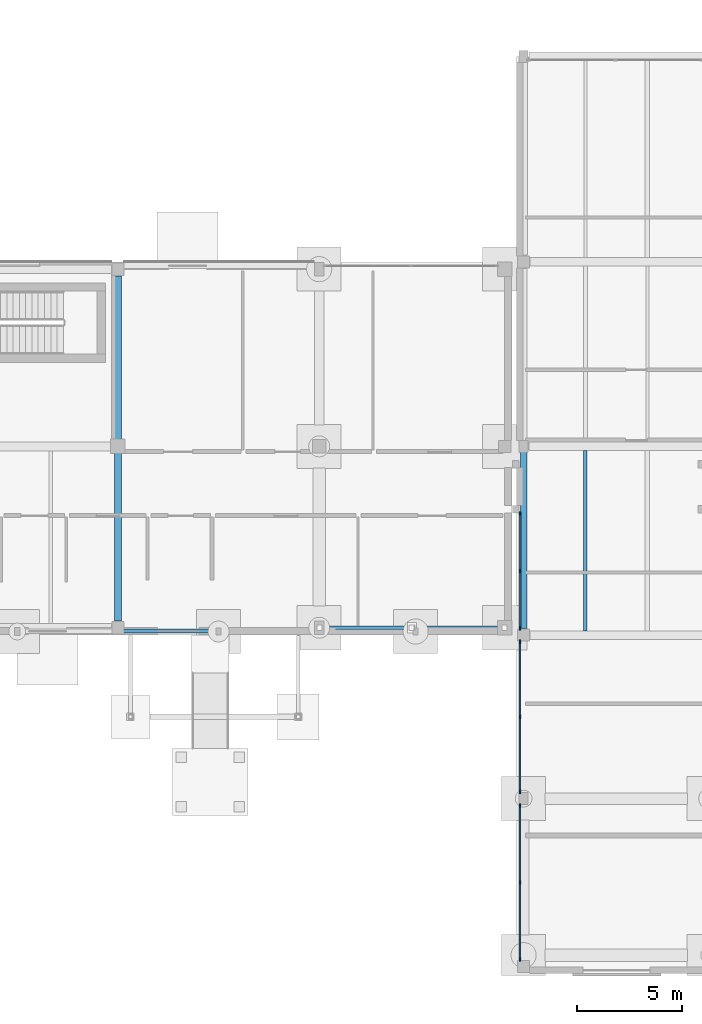
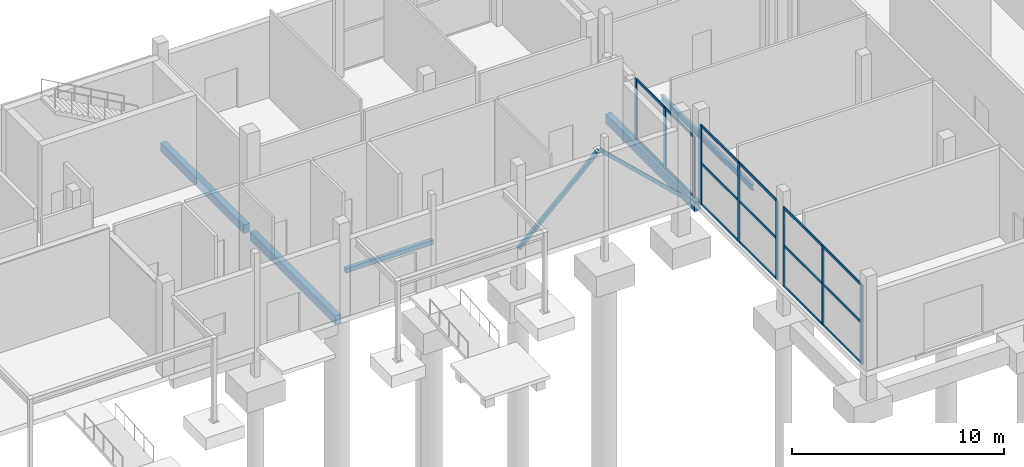
# One storey, part 26 of 88: 27 members, 5 beams, 3 elements without a shape of their own.
"""IFC4 building model written with IfcOpenShell, lengths in metres."""

from ifc_helpers import new_model, si_unit, direction, frame, origin, origin_2d, place, context, subcontext, project, spatial, rectangle, hollow_rectangle, i_section, extrude, material, layer, layer_set, material_profile, profile_set, type_object, element, aggregate, save


model = new_model("IFC4")

# Units and contexts
model_context = context("Model", 3, precision=1e-05, world=origin(), true_north=direction((0.0, 1.0)))
body_context = subcontext(model_context, "Body", "Model", "MODEL_VIEW")
ifc_project = project(units=[si_unit("LENGTHUNIT", "METRE"), si_unit("AREAUNIT", "SQUARE_METRE"), si_unit("VOLUMEUNIT", "CUBIC_METRE"), si_unit("PLANEANGLEUNIT", "RADIAN"), si_unit("MASSUNIT", "GRAM", prefix="KILO")], contexts=[model_context])

# Site, building, storey
site_placement = place(None, origin())
site = spatial("IfcSite", under=ifc_project, at=site_placement, CompositionType="ELEMENT")
building_placement = place(site_placement, origin())
building = spatial("IfcBuilding", under=site, at=building_placement, Name="Birchvale Park Specialist Clinic", CompositionType="ELEMENT")
storey_placement = place(building_placement, origin())
storey = spatial("IfcBuildingStorey", under=building, at=storey_placement, Name="L00", CompositionType="ELEMENT", Elevation=0.0)

# Beams
ifc_material_1 = material(Name="Concrete C40/50", Category="concrete")
ifc_material_profile_1 = material_profile(ifc_material_1, rectangle(XDim=0.320068359375, YDim=0.5400390625, at=origin_2d()), Name="RCB-320x540")
ifc_profile_set_1 = profile_set([ifc_material_profile_1], Name="Concrete C40/50")
beam_type_1 = type_object("IfcBeamType", Name="BM-EXT-BG7", PredefinedType="BEAM", material=ifc_profile_set_1)
beam_1_placement = place(storey_placement, frame((119.14990234375, 17.114990234375, -0.570068359375), z_axis=(0.0, 1.0, 0.0), x_axis=(-1.0, 0.0, 0.0)))
element("IfcBeam", 1, at=beam_1_placement, inside=storey, type_object=beam_type_1, Name="V5 L00 Y girder 21", PredefinedType="BEAM", context=body_context, shape_type="SweptSolid", body=[
    extrude(rectangle(XDim=0.320068359375, YDim=0.5400390625, at=origin_2d()), origin(), (0.0, 0.0, 1.0), 8.419921875),
])
ifc_material_profile_2 = material_profile(ifc_material_1, rectangle(XDim=0.320068359375, YDim=0.5, at=origin_2d()), Name="RCB-320x500")
ifc_profile_set_2 = profile_set([ifc_material_profile_2], Name="Concrete C40/50")
beam_type_2 = type_object("IfcBeamType", Name="BM-INT-BG7", PredefinedType="BEAM", material=ifc_profile_set_2)
beam_2_placement = place(storey_placement, frame((99.800048828125, 17.465087890625, -0.530029296875), z_axis=(0.0, 1.0, 0.0), x_axis=(-1.0, 0.0, 0.0)))
element("IfcBeam", 2, at=beam_2_placement, inside=storey, type_object=beam_type_2, Name="V4 L00 Y girder 20", PredefinedType="BEAM", context=body_context, shape_type="SweptSolid", body=[
    extrude(rectangle(XDim=0.320068359375, YDim=0.5, at=origin_2d()), origin(), (0.0, 0.0, 1.0), 8.034912109375),
])
beam_3_placement = place(storey_placement, frame((99.800048828125, 26.10009765625, -0.530029296875), z_axis=(0.0, 1.0, 0.0), x_axis=(-1.0, 0.0, 0.0)))
element("IfcBeam", 3, at=beam_3_placement, inside=storey, type_object=beam_type_2, Name="V4 L00 Y girder 21", PredefinedType="BEAM", context=body_context, shape_type="SweptSolid", body=[
    extrude(rectangle(XDim=0.320068359375, YDim=0.5, at=origin_2d()), origin(), (0.0, 0.0, 1.0), 7.8349609375),
])

# Curtain wall, members
ifc_material_2 = material(Name="Thermally broken anodised aluminium", Category="aluminium")
ifc_layer = layer(ifc_material_2, 0.195068359375)
ifc_layer_set = layer_set([ifc_layer], Name="Thermally broken anodised aluminium")
curtain_wall_type = type_object("IfcCurtainWallType", Name="CW-U2", PredefinedType="USERDEFINED", material=ifc_layer_set)
curtain_wall_1_placement = place(storey_placement, origin())
curtain_wall_1 = element("IfcCurtainWall", 4, at=curtain_wall_1_placement, inside=storey, type_object=curtain_wall_type, Name="V5 L00 glazed curtain wall 52", ObjectType="UNITISED", PredefinedType="USERDEFINED")
ifc_material_profile_3 = material_profile(ifc_material_2, rectangle(XDim=0.06494140625, YDim=0.179931640625, at=origin_2d()), Name="CWM-65x180")
ifc_profile_set_3 = profile_set([ifc_material_profile_3], Name="Thermally broken anodised aluminium")
member_type_1 = type_object("IfcMemberType", Name="CWM2", PredefinedType="MULLION", material=ifc_profile_set_3)
member_1_placement = place(storey_placement, frame((118.97509765625, 22.592529296875, 0.0), z_axis=(0.0, 0.0, 1.0), x_axis=(1.0, 0.0, 0.0)))
member_1 = element("IfcMember", 5, at=member_1_placement, type_object=member_type_1, Name="CW mullion 1", PredefinedType="MULLION", context=body_context, shape_type="SweptSolid", body=[
    extrude(rectangle(XDim=0.06494140625, YDim=0.179931640625, at=origin_2d()), origin(), (0.0, 0.0, 1.0), 3.508056640625),
])
member_2_placement = place(storey_placement, frame((118.97509765625, 19.857421875, 0.0), z_axis=(0.0, 0.0, 1.0), x_axis=(1.0, 0.0, 0.0)))
member_2 = element("IfcMember", 6, at=member_2_placement, type_object=member_type_1, Name="CW mullion 2", PredefinedType="MULLION", context=body_context, shape_type="SweptSolid", body=[
    extrude(rectangle(XDim=0.06494140625, YDim=0.179931640625, at=origin_2d()), origin(), (0.0, 0.0, 1.0), 3.508056640625),
])
member_3_placement = place(storey_placement, frame((118.97509765625, 17.12255859375, 0.0), z_axis=(0.0, 0.0, 1.0), x_axis=(1.0, 0.0, 0.0)))
member_3 = element("IfcMember", 7, at=member_3_placement, type_object=member_type_1, Name="CW mullion 3", PredefinedType="MULLION", context=body_context, shape_type="SweptSolid", body=[
    extrude(rectangle(XDim=0.06494140625, YDim=0.179931640625, at=origin_2d()), origin(), (0.0, 0.0, 1.0), 3.508056640625),
])

curtain_wall_2_placement = place(storey_placement, origin())
curtain_wall_2 = element("IfcCurtainWall", 8, at=curtain_wall_2_placement, inside=storey, type_object=curtain_wall_type, Name="V5 L00 glazed curtain wall 53", ObjectType="UNITISED", PredefinedType="USERDEFINED")
member_4_placement = place(storey_placement, frame((118.97509765625, 16.4775390625, 0.0), z_axis=(0.0, 0.0, 1.0), x_axis=(1.0, 0.0, 0.0)))
member_4 = element("IfcMember", 9, at=member_4_placement, type_object=member_type_1, Name="CW mullion 1", PredefinedType="MULLION", context=body_context, shape_type="SweptSolid", body=[
    extrude(rectangle(XDim=0.06494140625, YDim=0.179931640625, at=origin_2d()), origin(), (0.0, 0.0, 1.0), 4.570068359375),
])
member_5_placement = place(storey_placement, frame((118.97509765625, 12.89990234375, 0.0), z_axis=(0.0, 0.0, 1.0), x_axis=(1.0, 0.0, 0.0)))
member_5 = element("IfcMember", 10, at=member_5_placement, type_object=member_type_1, Name="CW mullion 2", PredefinedType="MULLION", context=body_context, shape_type="SweptSolid", body=[
    extrude(rectangle(XDim=0.06494140625, YDim=0.179931640625, at=origin_2d()), origin(), (0.0, 0.0, 1.0), 4.570068359375),
])
member_6_placement = place(storey_placement, frame((118.97509765625, 9.322509765625, 0.0), z_axis=(0.0, 0.0, 1.0), x_axis=(1.0, 0.0, 0.0)))
member_6 = element("IfcMember", 11, at=member_6_placement, type_object=member_type_1, Name="CW mullion 3", PredefinedType="MULLION", context=body_context, shape_type="SweptSolid", body=[
    extrude(rectangle(XDim=0.06494140625, YDim=0.179931640625, at=origin_2d()), origin(), (0.0, 0.0, 1.0), 4.570068359375),
])

curtain_wall_3_placement = place(storey_placement, origin())
curtain_wall_3 = element("IfcCurtainWall", 12, at=curtain_wall_3_placement, inside=storey, type_object=curtain_wall_type, Name="V5 L00 glazed curtain wall 54", ObjectType="UNITISED", PredefinedType="USERDEFINED")
member_7_placement = place(storey_placement, frame((118.97509765625, 8.677490234375, 0.0), z_axis=(0.0, 0.0, 1.0), x_axis=(1.0, 0.0, 0.0)))
member_7 = element("IfcMember", 13, at=member_7_placement, type_object=member_type_1, Name="CW mullion 1", PredefinedType="MULLION", context=body_context, shape_type="SweptSolid", body=[
    extrude(rectangle(XDim=0.06494140625, YDim=0.179931640625, at=origin_2d()), origin(), (0.0, 0.0, 1.0), 4.570068359375),
])
member_8_placement = place(storey_placement, frame((118.97509765625, 5.0, 0.0), z_axis=(0.0, 0.0, 1.0), x_axis=(1.0, 0.0, 0.0)))
member_8 = element("IfcMember", 14, at=member_8_placement, type_object=member_type_1, Name="CW mullion 2", PredefinedType="MULLION", context=body_context, shape_type="SweptSolid", body=[
    extrude(rectangle(XDim=0.06494140625, YDim=0.179931640625, at=origin_2d()), origin(), (0.0, 0.0, 1.0), 4.570068359375),
])
member_9_placement = place(storey_placement, frame((118.97509765625, 1.322509765625, 0.0), z_axis=(0.0, 0.0, 1.0), x_axis=(1.0, 0.0, 0.0)))
member_9 = element("IfcMember", 15, at=member_9_placement, type_object=member_type_1, Name="CW mullion 3", PredefinedType="MULLION", context=body_context, shape_type="SweptSolid", body=[
    extrude(rectangle(XDim=0.06494140625, YDim=0.179931640625, at=origin_2d()), origin(), (0.0, 0.0, 1.0), 4.570068359375),
])

# Member
ifc_material_profile_4 = material_profile(ifc_material_2, rectangle(XDim=0.06494140625, YDim=0.139892578125, at=origin_2d()), Name="CWT-65x140")
ifc_profile_set_4 = profile_set([ifc_material_profile_4], Name="Thermally broken anodised aluminium")
member_type_2 = type_object("IfcMemberType", Name="CWT2", PredefinedType="USERDEFINED", material=ifc_profile_set_4)
member_10_placement = place(storey_placement, frame((118.97509765625, 22.56005859375, 0.032470703125), z_axis=(0.0, -1.0, 0.0), x_axis=(1.0, 0.0, 0.0)))
member_10 = element("IfcMember", 16, at=member_10_placement, type_object=member_type_2, Name="CW transom 1.1", ObjectType="TRANSOM", PredefinedType="USERDEFINED", context=body_context, shape_type="SweptSolid", body=[
    extrude(rectangle(XDim=0.06494140625, YDim=0.139892578125, at=origin_2d()), origin(), (0.0, 0.0, 1.0), 2.670166015625),
])

member_11_placement = place(storey_placement, frame((118.97509765625, 22.56005859375, 3.4755859375), z_axis=(0.0, -1.0, 0.0), x_axis=(1.0, 0.0, 0.0)))
member_11 = element("IfcMember", 17, at=member_11_placement, type_object=member_type_2, Name="CW transom 1.2", ObjectType="TRANSOM", PredefinedType="USERDEFINED", context=body_context, shape_type="SweptSolid", body=[
    extrude(rectangle(XDim=0.06494140625, YDim=0.139892578125, at=origin_2d()), origin(), (0.0, 0.0, 1.0), 2.670166015625),
])

member_12_placement = place(storey_placement, frame((118.97509765625, 19.824951171875, 0.032470703125), z_axis=(0.0, -1.0, 0.0), x_axis=(1.0, 0.0, 0.0)))
member_12 = element("IfcMember", 18, at=member_12_placement, type_object=member_type_2, Name="CW transom 2.1", ObjectType="TRANSOM", PredefinedType="USERDEFINED", context=body_context, shape_type="SweptSolid", body=[
    extrude(rectangle(XDim=0.06494140625, YDim=0.139892578125, at=origin_2d()), origin(), (0.0, 0.0, 1.0), 2.669921875),
])

member_13_placement = place(storey_placement, frame((118.97509765625, 19.824951171875, 3.4755859375), z_axis=(0.0, -1.0, 0.0), x_axis=(1.0, 0.0, 0.0)))
member_13 = element("IfcMember", 19, at=member_13_placement, type_object=member_type_2, Name="CW transom 2.2", ObjectType="TRANSOM", PredefinedType="USERDEFINED", context=body_context, shape_type="SweptSolid", body=[
    extrude(rectangle(XDim=0.06494140625, YDim=0.139892578125, at=origin_2d()), origin(), (0.0, 0.0, 1.0), 2.669921875),
])

aggregate(curtain_wall_1, [member_1, member_2, member_3, member_10, member_11, member_12, member_13])

member_14_placement = place(storey_placement, frame((118.97509765625, 16.445068359375, 0.032470703125), z_axis=(0.0, -1.0, 0.0), x_axis=(1.0, 0.0, 0.0)))
member_14 = element("IfcMember", 20, at=member_14_placement, type_object=member_type_2, Name="CW transom 1.1", ObjectType="TRANSOM", PredefinedType="USERDEFINED", context=body_context, shape_type="SweptSolid", body=[
    extrude(rectangle(XDim=0.06494140625, YDim=0.139892578125, at=origin_2d()), origin(), (0.0, 0.0, 1.0), 3.512451171875),
])

member_15_placement = place(storey_placement, frame((118.97509765625, 16.445068359375, 2.37646484375), z_axis=(0.0, -1.0, 0.0), x_axis=(1.0, 0.0, 0.0)))
member_15 = element("IfcMember", 21, at=member_15_placement, type_object=member_type_2, Name="CW transom 1.2", ObjectType="TRANSOM", PredefinedType="USERDEFINED", context=body_context, shape_type="SweptSolid", body=[
    extrude(rectangle(XDim=0.06494140625, YDim=0.139892578125, at=origin_2d()), origin(), (0.0, 0.0, 1.0), 3.512451171875),
])

member_16_placement = place(storey_placement, frame((118.97509765625, 16.445068359375, 4.53759765625), z_axis=(0.0, -1.0, 0.0), x_axis=(1.0, 0.0, 0.0)))
member_16 = element("IfcMember", 22, at=member_16_placement, type_object=member_type_2, Name="CW transom 1.3", ObjectType="TRANSOM", PredefinedType="USERDEFINED", context=body_context, shape_type="SweptSolid", body=[
    extrude(rectangle(XDim=0.06494140625, YDim=0.139892578125, at=origin_2d()), origin(), (0.0, 0.0, 1.0), 3.512451171875),
])

member_17_placement = place(storey_placement, frame((118.97509765625, 12.867431640625, 0.032470703125), z_axis=(0.0, -1.0, 0.0), x_axis=(1.0, 0.0, 0.0)))
member_17 = element("IfcMember", 23, at=member_17_placement, type_object=member_type_2, Name="CW transom 2.1", ObjectType="TRANSOM", PredefinedType="USERDEFINED", context=body_context, shape_type="SweptSolid", body=[
    extrude(rectangle(XDim=0.06494140625, YDim=0.139892578125, at=origin_2d()), origin(), (0.0, 0.0, 1.0), 3.512451171875),
])

member_18_placement = place(storey_placement, frame((118.97509765625, 12.867431640625, 2.37646484375), z_axis=(0.0, -1.0, 0.0), x_axis=(1.0, 0.0, 0.0)))
member_18 = element("IfcMember", 24, at=member_18_placement, type_object=member_type_2, Name="CW transom 2.2", ObjectType="TRANSOM", PredefinedType="USERDEFINED", context=body_context, shape_type="SweptSolid", body=[
    extrude(rectangle(XDim=0.06494140625, YDim=0.139892578125, at=origin_2d()), origin(), (0.0, 0.0, 1.0), 3.512451171875),
])

member_19_placement = place(storey_placement, frame((118.97509765625, 12.867431640625, 4.53759765625), z_axis=(0.0, -1.0, 0.0), x_axis=(1.0, 0.0, 0.0)))
member_19 = element("IfcMember", 25, at=member_19_placement, type_object=member_type_2, Name="CW transom 2.3", ObjectType="TRANSOM", PredefinedType="USERDEFINED", context=body_context, shape_type="SweptSolid", body=[
    extrude(rectangle(XDim=0.06494140625, YDim=0.139892578125, at=origin_2d()), origin(), (0.0, 0.0, 1.0), 3.512451171875),
])

aggregate(curtain_wall_2, [member_4, member_5, member_6, member_14, member_15, member_16, member_17, member_18, member_19])

member_20_placement = place(storey_placement, frame((118.97509765625, 8.64501953125, 0.032470703125), z_axis=(0.0, -1.0, 0.0), x_axis=(1.0, 0.0, 0.0)))
member_20 = element("IfcMember", 26, at=member_20_placement, type_object=member_type_2, Name="CW transom 1.1", ObjectType="TRANSOM", PredefinedType="USERDEFINED", context=body_context, shape_type="SweptSolid", body=[
    extrude(rectangle(XDim=0.06494140625, YDim=0.139892578125, at=origin_2d()), origin(), (0.0, 0.0, 1.0), 3.612548828125),
])

member_21_placement = place(storey_placement, frame((118.97509765625, 8.64501953125, 2.37646484375), z_axis=(0.0, -1.0, 0.0), x_axis=(1.0, 0.0, 0.0)))
member_21 = element("IfcMember", 27, at=member_21_placement, type_object=member_type_2, Name="CW transom 1.2", ObjectType="TRANSOM", PredefinedType="USERDEFINED", context=body_context, shape_type="SweptSolid", body=[
    extrude(rectangle(XDim=0.06494140625, YDim=0.139892578125, at=origin_2d()), origin(), (0.0, 0.0, 1.0), 3.612548828125),
])

member_22_placement = place(storey_placement, frame((118.97509765625, 8.64501953125, 4.53759765625), z_axis=(0.0, -1.0, 0.0), x_axis=(1.0, 0.0, 0.0)))
member_22 = element("IfcMember", 28, at=member_22_placement, type_object=member_type_2, Name="CW transom 1.3", ObjectType="TRANSOM", PredefinedType="USERDEFINED", context=body_context, shape_type="SweptSolid", body=[
    extrude(rectangle(XDim=0.06494140625, YDim=0.139892578125, at=origin_2d()), origin(), (0.0, 0.0, 1.0), 3.612548828125),
])

member_23_placement = place(storey_placement, frame((118.97509765625, 4.967529296875, 0.032470703125), z_axis=(0.0, -1.0, 0.0), x_axis=(1.0, 0.0, 0.0)))
member_23 = element("IfcMember", 29, at=member_23_placement, type_object=member_type_2, Name="CW transom 2.1", ObjectType="TRANSOM", PredefinedType="USERDEFINED", context=body_context, shape_type="SweptSolid", body=[
    extrude(rectangle(XDim=0.06494140625, YDim=0.139892578125, at=origin_2d()), origin(), (0.0, 0.0, 1.0), 3.612548828125),
])

member_24_placement = place(storey_placement, frame((118.97509765625, 4.967529296875, 2.37646484375), z_axis=(0.0, -1.0, 0.0), x_axis=(1.0, 0.0, 0.0)))
member_24 = element("IfcMember", 30, at=member_24_placement, type_object=member_type_2, Name="CW transom 2.2", ObjectType="TRANSOM", PredefinedType="USERDEFINED", context=body_context, shape_type="SweptSolid", body=[
    extrude(rectangle(XDim=0.06494140625, YDim=0.139892578125, at=origin_2d()), origin(), (0.0, 0.0, 1.0), 3.612548828125),
])

member_25_placement = place(storey_placement, frame((118.97509765625, 4.967529296875, 4.53759765625), z_axis=(0.0, -1.0, 0.0), x_axis=(1.0, 0.0, 0.0)))
member_25 = element("IfcMember", 31, at=member_25_placement, type_object=member_type_2, Name="CW transom 2.3", ObjectType="TRANSOM", PredefinedType="USERDEFINED", context=body_context, shape_type="SweptSolid", body=[
    extrude(rectangle(XDim=0.06494140625, YDim=0.139892578125, at=origin_2d()), origin(), (0.0, 0.0, 1.0), 3.612548828125),
])

aggregate(curtain_wall_3, [member_7, member_8, member_9, member_20, member_21, member_22, member_23, member_24, member_25])

# Beam
ifc_material_profile_5 = material_profile(ifc_material_1, rectangle(XDim=0.199951171875, YDim=0.260009765625, at=origin_2d()), Name="LNT-200x260")
ifc_profile_set_5 = profile_set([ifc_material_profile_5], Name="Concrete C40/50")
beam_type_3 = type_object("IfcBeamType", Name="LNT-EXT-LN3", PredefinedType="LINTEL", material=ifc_profile_set_5)
beam_4_placement = place(storey_placement, frame((99.905029296875, 16.989990234375, 2.570068359375), z_axis=(1.0, 0.0, 0.0), x_axis=(0.0, 1.0, 0.0)))
element("IfcBeam", 32, at=beam_4_placement, inside=storey, type_object=beam_type_3, Name="V4 L00 exit opening lintel 17", PredefinedType="LINTEL", context=body_context, shape_type="SweptSolid", body=[
    extrude(rectangle(XDim=0.199951171875, YDim=0.260009765625, at=origin_2d()), origin(), (0.0, 0.0, 1.0), 4.7548828125),
])

# Members
ifc_material_3 = material(Name="Steel ASTM A500 Grade C", Category="steel")
ifc_material_profile_6 = material_profile(ifc_material_3, hollow_rectangle(XDim=0.179931640625, YDim=0.179931640625, WallThickness=0.010009765625, at=origin_2d()), Name="HSS180X180X10")
ifc_profile_set_6 = profile_set([ifc_material_profile_6], Name="Steel ASTM A500 Grade C")
member_type_3 = type_object("IfcMemberType", Name="MEM-BR6", PredefinedType="BRACE", material=ifc_profile_set_6)
member_26_placement = place(storey_placement, frame((109.421875, 17.14990234375, 0.37060546875), z_axis=(0.72612384056, 0.0, 0.687563937515), x_axis=(0.0, 1.0, 0.0)))
element("IfcMember", 33, at=member_26_placement, inside=storey, type_object=member_type_3, Name="V4 L00 chevron steel brace 2.1", PredefinedType="BRACE", context=body_context, shape_type="SweptSolid", body=[
    extrude(hollow_rectangle(XDim=0.179931640625, YDim=0.179931640625, WallThickness=0.010009765625, at=origin_2d()), origin(), (0.0, 0.0, 1.0), 6.033935546875),
])
member_27_placement = place(storey_placement, frame((118.228271484375, 17.14990234375, 0.37060546875), z_axis=(-0.726142967702, 0.0, 0.687543737123), x_axis=(0.0, -1.0, 0.0)))
element("IfcMember", 34, at=member_27_placement, inside=storey, type_object=member_type_3, Name="V4 L00 chevron steel brace 2.2", PredefinedType="BRACE", context=body_context, shape_type="SweptSolid", body=[
    extrude(hollow_rectangle(XDim=0.179931640625, YDim=0.179931640625, WallThickness=0.010009765625, at=origin_2d()), origin(), (0.0, 0.0, 1.0), 6.0341796875),
])

# Beam
ifc_material_4 = material(Name="Steel ASTM A992 Grade 50", Category="steel")
ifc_material_profile_7 = material_profile(ifc_material_4, i_section(OverallWidth=0.1669921875, OverallDepth=0.31689453125, WebThickness=0.007568359375, FlangeThickness=0.01318359375, at=origin_2d()), Name="W12X35")
ifc_profile_set_7 = profile_set([ifc_material_profile_7], Name="Steel ASTM A992 Grade 50")
beam_type_4 = type_object("IfcBeamType", Name="STL-INT-SJ3", PredefinedType="JOIST", material=ifc_profile_set_7)
beam_5_placement = place(storey_placement, frame((122.10009765625, 17.0, -0.45849609375), z_axis=(0.0, 1.0, 0.0), x_axis=(-1.0, 0.0, 0.0)))
element("IfcBeam", 35, at=beam_5_placement, inside=storey, type_object=beam_type_4, Name="V5 L00 secondary floor joist 1", PredefinedType="JOIST", context=body_context, shape_type="SweptSolid", body=[
    extrude(i_section(OverallWidth=0.1669921875, OverallDepth=0.31689453125, WebThickness=0.007568359375, FlangeThickness=0.01318359375, at=origin_2d()), origin(), (0.0, 0.0, 1.0), 8.60009765625),
])

save(model, "model.ifc")
